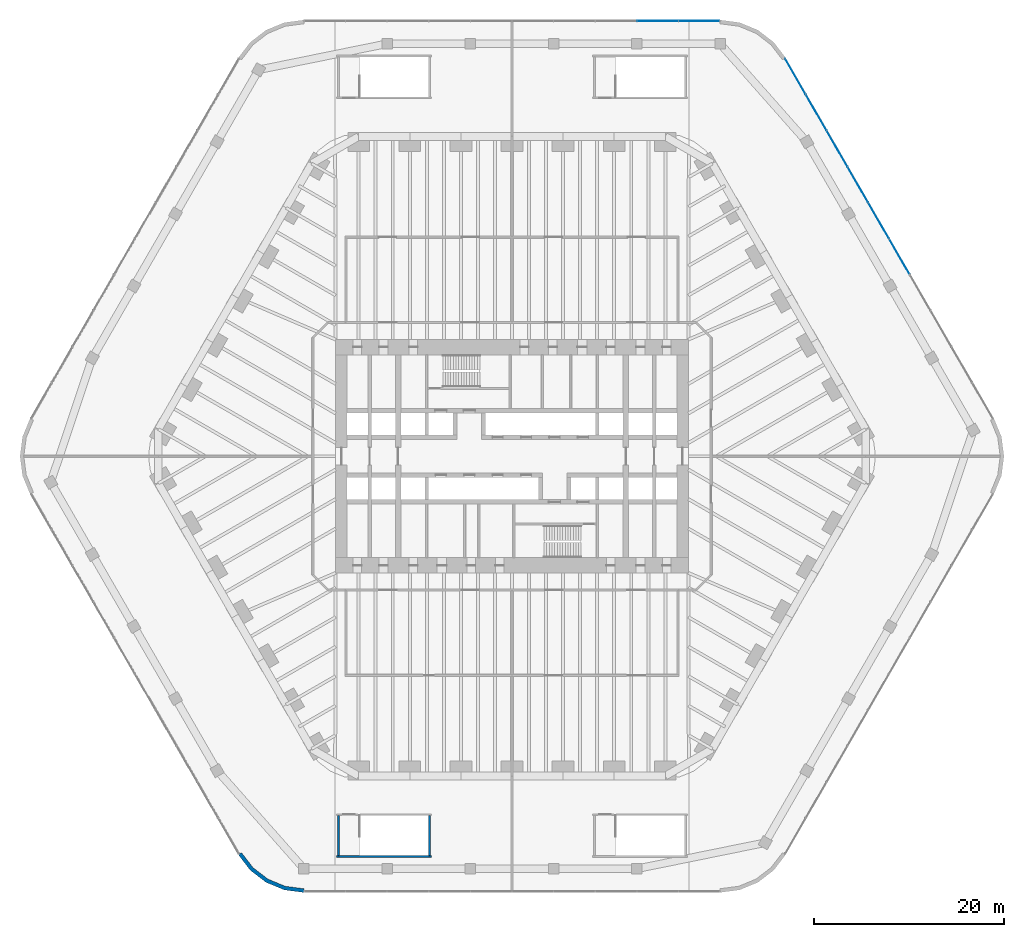
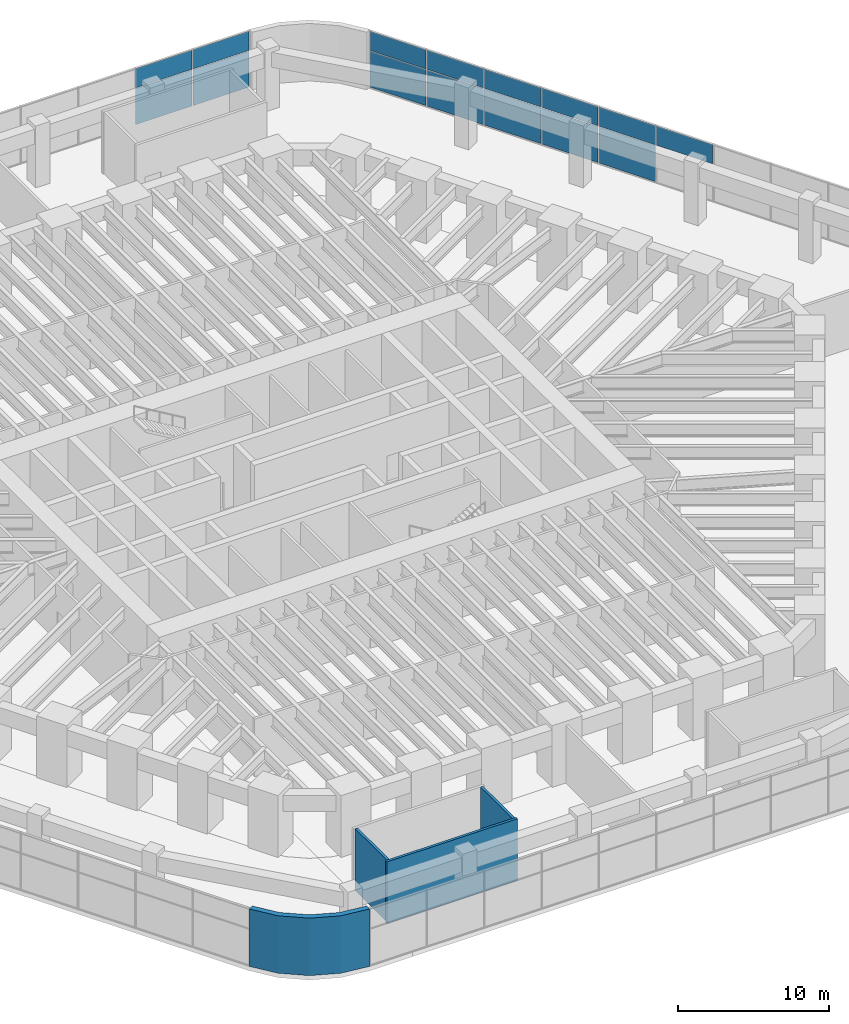
# One storey, part 25 of 31: 15 plates, 4 walls, 2 elements without a shape of their own.
"""IFC4 building model written with IfcOpenShell, lengths in metres."""

from ifc_helpers import new_model, si_unit, direction, frame, frame_2d, origin, origin_2d, place, context, subcontext, project, spatial, polyline, rectangle, outline, extrude, material, layer, layer_set, type_object, element, aggregate, save


model = new_model("IFC4")

# Units and contexts
model_context = context("Model", 3, precision=1e-05, world=origin(), true_north=direction((0.0, 1.0)))
body_context = subcontext(model_context, "Body", "Model", "MODEL_VIEW")
ifc_project = project(units=[si_unit("LENGTHUNIT", "METRE"), si_unit("AREAUNIT", "SQUARE_METRE"), si_unit("VOLUMEUNIT", "CUBIC_METRE"), si_unit("PLANEANGLEUNIT", "RADIAN"), si_unit("MASSUNIT", "GRAM", prefix="KILO")], contexts=[model_context])

# Site, building, storey
site_placement = place(None, origin())
site = spatial("IfcSite", under=ifc_project, at=site_placement, CompositionType="ELEMENT")
building_placement = place(site_placement, origin())
building = spatial("IfcBuilding", under=site, at=building_placement, Name="Tarfa Lantern Tower", CompositionType="ELEMENT")
storey_placement = place(building_placement, frame((0.0, 0.0, 18.5)))
storey = spatial("IfcBuildingStorey", under=building, at=storey_placement, Name="L03", CompositionType="ELEMENT", Elevation=18.5)

# Curtain wall, plates
ifc_material_1 = material(Name="Aluminium framed curtain wall", Category="aluminium")
curtain_wall_type = type_object("IfcCurtainWallType", Name="CW7 PODIUM GLAZING 4650", PredefinedType="USERDEFINED", material=ifc_material_1)
curtain_wall_1_placement = place(storey_placement, origin())
curtain_wall_1 = element("IfcCurtainWall", 1, at=curtain_wall_1_placement, inside=storey, type_object=curtain_wall_type, Name="CW7 NE L03", ObjectType="CURTAIN WALL", PredefinedType="USERDEFINED")
ifc_material_2 = material(Name="Laminated double glazing", Category="glass")
ifc_layer_1 = layer(ifc_material_2, 0.028076171875)
ifc_layer_set_1 = layer_set([ifc_layer_1], Name="CWP1 DOUBLE GLAZED PANEL")
plate_type = type_object("IfcPlateType", Name="CWP1 DOUBLE GLAZED PANEL", PredefinedType="CURTAIN_PANEL", material=ifc_layer_set_1)
plate_1_placement = place(storey_placement, frame((40.847412109375, 21.050048828125, 3.03271484375), z_axis=(0.0, 0.0, 1.0), x_axis=(-0.5, 0.866025403784, 0.0)))
plate_1 = element("IfcPlate", 2, at=plate_1_placement, type_object=plate_type, Name="CW7 panel 5.2", PredefinedType="CURTAIN_PANEL", context=body_context, shape_type="SweptSolid", body=[
    extrude(rectangle(XDim=4.32275390625, YDim=0.028076171875, at=origin_2d()), origin(), (0.0, 0.0, 1.0), 1.552490234375),
])
plate_2_placement = place(storey_placement, frame((38.653564453125, 24.85009765625, 0.06494140625), z_axis=(0.0, 0.0, 1.0), x_axis=(-0.5, 0.866025403784, 0.0)))
plate_2 = element("IfcPlate", 3, at=plate_2_placement, type_object=plate_type, Name="CW7 panel 6.1", PredefinedType="CURTAIN_PANEL", context=body_context, shape_type="SweptSolid", body=[
    extrude(rectangle(XDim=4.32275390625, YDim=0.028076171875, at=origin_2d()), origin(), (0.0, 0.0, 1.0), 2.902587890625),
])
plate_3_placement = place(storey_placement, frame((38.653564453125, 24.85009765625, 3.03271484375), z_axis=(0.0, 0.0, 1.0), x_axis=(-0.5, 0.866025403784, 0.0)))
plate_3 = element("IfcPlate", 4, at=plate_3_placement, type_object=plate_type, Name="CW7 panel 6.2", PredefinedType="CURTAIN_PANEL", context=body_context, shape_type="SweptSolid", body=[
    extrude(rectangle(XDim=4.32275390625, YDim=0.028076171875, at=origin_2d()), origin(), (0.0, 0.0, 1.0), 1.552490234375),
])
plate_4_placement = place(storey_placement, frame((36.459716796875, 28.64990234375, 0.06494140625), z_axis=(0.0, 0.0, 1.0), x_axis=(-0.5, 0.866025403784, 0.0)))
plate_4 = element("IfcPlate", 5, at=plate_4_placement, type_object=plate_type, Name="CW7 panel 7.1", PredefinedType="CURTAIN_PANEL", context=body_context, shape_type="SweptSolid", body=[
    extrude(rectangle(XDim=4.32275390625, YDim=0.028076171875, at=origin_2d()), origin(), (0.0, 0.0, 1.0), 2.902587890625),
])
plate_5_placement = place(storey_placement, frame((36.459716796875, 28.64990234375, 3.03271484375), z_axis=(0.0, 0.0, 1.0), x_axis=(-0.5, 0.866025403784, 0.0)))
plate_5 = element("IfcPlate", 6, at=plate_5_placement, type_object=plate_type, Name="CW7 panel 7.2", PredefinedType="CURTAIN_PANEL", context=body_context, shape_type="SweptSolid", body=[
    extrude(rectangle(XDim=4.32275390625, YDim=0.028076171875, at=origin_2d()), origin(), (0.0, 0.0, 1.0), 1.552490234375),
])
plate_6_placement = place(storey_placement, frame((34.265625, 32.449951171875, 0.06494140625), z_axis=(0.0, 0.0, 1.0), x_axis=(-0.5, 0.866025403784, 0.0)))
plate_6 = element("IfcPlate", 7, at=plate_6_placement, type_object=plate_type, Name="CW7 panel 8.1", PredefinedType="CURTAIN_PANEL", context=body_context, shape_type="SweptSolid", body=[
    extrude(rectangle(XDim=4.32275390625, YDim=0.028076171875, at=origin_2d()), origin(), (0.0, 0.0, 1.0), 2.902587890625),
])
plate_7_placement = place(storey_placement, frame((34.265625, 32.449951171875, 3.03271484375), z_axis=(0.0, 0.0, 1.0), x_axis=(-0.5, 0.866025403784, 0.0)))
plate_7 = element("IfcPlate", 8, at=plate_7_placement, type_object=plate_type, Name="CW7 panel 8.2", PredefinedType="CURTAIN_PANEL", context=body_context, shape_type="SweptSolid", body=[
    extrude(rectangle(XDim=4.32275390625, YDim=0.028076171875, at=origin_2d()), origin(), (0.0, 0.0, 1.0), 1.552490234375),
])
plate_8_placement = place(storey_placement, frame((32.07177734375, 36.25, 0.06494140625), z_axis=(0.0, 0.0, 1.0), x_axis=(-0.5, 0.866025403784, 0.0)))
plate_8 = element("IfcPlate", 9, at=plate_8_placement, type_object=plate_type, Name="CW7 panel 9.1", PredefinedType="CURTAIN_PANEL", context=body_context, shape_type="SweptSolid", body=[
    extrude(rectangle(XDim=4.32275390625, YDim=0.028076171875, at=origin_2d()), origin(), (0.0, 0.0, 1.0), 2.902587890625),
])
plate_9_placement = place(storey_placement, frame((32.07177734375, 36.25, 3.03271484375), z_axis=(0.0, 0.0, 1.0), x_axis=(-0.5, 0.866025403784, 0.0)))
plate_9 = element("IfcPlate", 10, at=plate_9_placement, type_object=plate_type, Name="CW7 panel 9.2", PredefinedType="CURTAIN_PANEL", context=body_context, shape_type="SweptSolid", body=[
    extrude(rectangle(XDim=4.32275390625, YDim=0.028076171875, at=origin_2d()), origin(), (0.0, 0.0, 1.0), 1.552490234375),
])
plate_10_placement = place(storey_placement, frame((29.885986328125, 40.035888671875, 0.06494140625), z_axis=(0.0, 0.0, 1.0), x_axis=(-0.5, 0.866025403784, 0.0)))
plate_10 = element("IfcPlate", 11, at=plate_10_placement, type_object=plate_type, Name="CW7 panel 10.1", PredefinedType="CURTAIN_PANEL", context=body_context, shape_type="SweptSolid", body=[
    extrude(rectangle(XDim=4.290283203125, YDim=0.028076171875, at=origin_2d()), origin(), (0.0, 0.0, 1.0), 2.902587890625),
])
plate_11_placement = place(storey_placement, frame((29.885986328125, 40.035888671875, 3.03271484375), z_axis=(0.0, 0.0, 1.0), x_axis=(-0.5, 0.866025403784, 0.0)))
plate_11 = element("IfcPlate", 12, at=plate_11_placement, type_object=plate_type, Name="CW7 panel 10.2", PredefinedType="CURTAIN_PANEL", context=body_context, shape_type="SweptSolid", body=[
    extrude(rectangle(XDim=4.290283203125, YDim=0.028076171875, at=origin_2d()), origin(), (0.0, 0.0, 1.0), 1.552490234375),
])
aggregate(curtain_wall_1, [plate_1, plate_2, plate_3, plate_4, plate_5, plate_6, plate_7, plate_8, plate_9, plate_10, plate_11])

curtain_wall_2_placement = place(storey_placement, origin())
curtain_wall_2 = element("IfcCurtainWall", 13, at=curtain_wall_2_placement, inside=storey, type_object=curtain_wall_type, Name="CW7 N L03", ObjectType="CURTAIN WALL", PredefinedType="USERDEFINED")
plate_12_placement = place(storey_placement, frame((19.729248046875, 45.89990234375, 0.06494140625), z_axis=(0.0, 0.0, 1.0), x_axis=(-1.0, 0.0, 0.0)))
plate_12 = element("IfcPlate", 14, at=plate_12_placement, type_object=plate_type, Name="CW7 panel 1.1", PredefinedType="CURTAIN_PANEL", context=body_context, shape_type="SweptSolid", body=[
    extrude(rectangle(XDim=4.290283203125, YDim=0.028076171875, at=origin_2d()), origin(), (0.0, 0.0, 1.0), 2.902587890625),
])
plate_13_placement = place(storey_placement, frame((19.729248046875, 45.89990234375, 3.03271484375), z_axis=(0.0, 0.0, 1.0), x_axis=(-1.0, 0.0, 0.0)))
plate_13 = element("IfcPlate", 15, at=plate_13_placement, type_object=plate_type, Name="CW7 panel 1.2", PredefinedType="CURTAIN_PANEL", context=body_context, shape_type="SweptSolid", body=[
    extrude(rectangle(XDim=4.290283203125, YDim=0.028076171875, at=origin_2d()), origin(), (0.0, 0.0, 1.0), 1.552490234375),
])
plate_14_placement = place(storey_placement, frame((15.357421875, 45.89990234375, 0.06494140625), z_axis=(0.0, 0.0, 1.0), x_axis=(-1.0, 0.0, 0.0)))
plate_14 = element("IfcPlate", 16, at=plate_14_placement, type_object=plate_type, Name="CW7 panel 2.1", PredefinedType="CURTAIN_PANEL", context=body_context, shape_type="SweptSolid", body=[
    extrude(rectangle(XDim=4.32275390625, YDim=0.028076171875, at=origin_2d()), origin(), (0.0, 0.0, 1.0), 2.902587890625),
])
plate_15_placement = place(storey_placement, frame((15.357421875, 45.89990234375, 3.03271484375), z_axis=(0.0, 0.0, 1.0), x_axis=(-1.0, 0.0, 0.0)))
plate_15 = element("IfcPlate", 17, at=plate_15_placement, type_object=plate_type, Name="CW7 panel 2.2", PredefinedType="CURTAIN_PANEL", context=body_context, shape_type="SweptSolid", body=[
    extrude(rectangle(XDim=4.32275390625, YDim=0.028076171875, at=origin_2d()), origin(), (0.0, 0.0, 1.0), 1.552490234375),
])
aggregate(curtain_wall_2, [plate_12, plate_13, plate_14, plate_15])

# Walls
ifc_material_3 = material(Name="Limestone cladding on blockwork", Category="masonry")
ifc_layer_2 = layer(ifc_material_3, 0.39990234375)
ifc_layer_set_2 = layer_set([ifc_layer_2], Name="EW2 CURVED STONE CORNER 400")
wall_type_1 = type_object("IfcWallType", Name="EW2 CURVED STONE CORNER 400", PredefinedType="SOLIDWALL", material=ifc_layer_set_2)
wall_1_placement = place(storey_placement, origin())
element("IfcWall", 18, at=wall_1_placement, inside=storey, type_object=wall_type_1, Name="Stone corner SW-S", PredefinedType="SOLIDWALL", context=body_context, shape_type="SweptSolid", body=[
    extrude(outline(polyline([(-28.867431640625, -42.0), (-27.59619140625, -43.65673828125), (-25.939208984375, -44.92822265625), (-24.009765625, -45.727294921875), (-21.939208984375, -46.0), (-21.939208984375, -45.60009765625), (-23.90625, -45.341064453125), (-25.7392578125, -44.581787109375), (-27.313232421875, -43.3740234375), (-28.52099609375, -41.800048828125), (-28.867431640625, -42.0)])), origin(), (0.0, 0.0, 1.0), 4.64990234375),
])
ifc_material_4 = material(Name="Concrete C80/95", Category="concrete")
ifc_layer_3 = layer(ifc_material_4, 0.199951171875)
ifc_layer_set_3 = layer_set([ifc_layer_3], Name="SW12 CORE WALL 200")
wall_type_2 = type_object("IfcWallType", Name="SW12 CORE WALL 200", PredefinedType="SHEAR", material=ifc_layer_set_3)
wall_2_placement = place(storey_placement, frame((-18.5, -42.199951171875, 0.0), z_axis=(0.0, 0.0, 1.0), x_axis=(1.0, 0.0, 0.0)))
element("IfcWall", 19, at=wall_2_placement, inside=storey, type_object=wall_type_2, Name="Stair ST5 shaft wall", PredefinedType="SHEAR", context=body_context, shape_type="SweptSolid", body=[
    extrude(rectangle(XDim=10.0, YDim=0.199951171875, at=frame_2d((5.0, 0.0))), origin(), (0.0, 0.0, 1.0), 5.0),
])
for number, where, z_axis, x_axis, name in (
    (20, (-18.300048828125, -37.89990234375, 0.0), (0.0, 0.0, 1.0), (0.0, -1.0, 0.0), "Stair ST5 shaft wall"),
    (21, (-8.699951171875, -42.10009765625, 0.0), (0.0, 0.0, 1.0), (0.0, 1.0, 0.0), "Stair ST5 shaft wall"),
):
    element("IfcWall", number, at=place(storey_placement, frame(where, z_axis=z_axis, x_axis=x_axis)), inside=storey, type_object=wall_type_2, Name=name, PredefinedType="SHEAR", context=body_context, shape_type="SweptSolid", body=[
        extrude(rectangle(XDim=4.2001953125, YDim=0.199951171875, at=frame_2d((2.10009765625, 0.0))), origin(), (0.0, 0.0, 1.0), 5.0),
    ])

save(model, "model.ifc")
